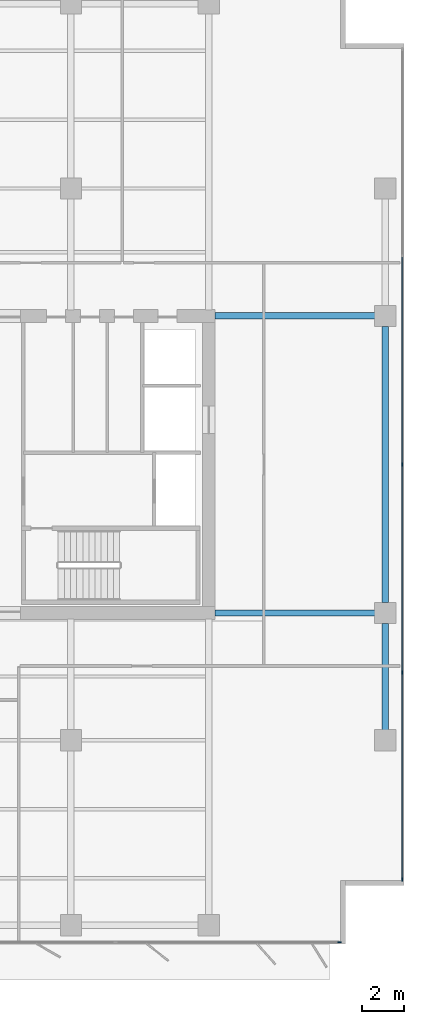
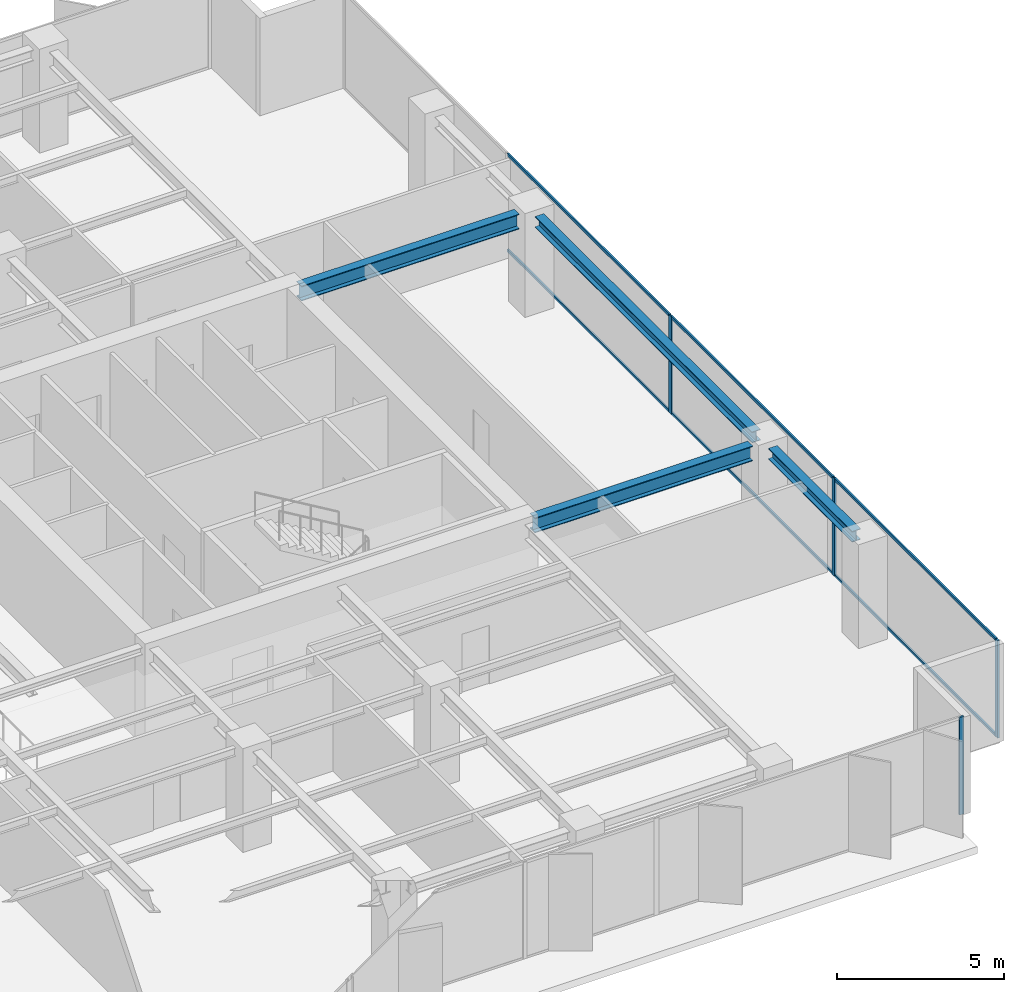
# One storey, part 12 of 22: 10 members, 4 beams, 2 elements without a shape of their own.
"""IFC4 building model written with IfcOpenShell, lengths in metres."""

import ifcopenshell
import ifcopenshell.guid

model = None  # the IFC model being written
_history = None  # IfcOwnerHistory: only IFC2X3 demands one
_inside = {}  # id of a spatial element -> (the spatial element, [elements in it])
_under = {}  # id of a project, library or spatial element -> (it, [spatial elements below it])
_declared = {}  # id of a project -> (the project, [libraries it declares])
_typed = {}  # id of a type object -> (the type object, [elements of that type])
_made_of = {}  # id of a material, layer set ... -> (it, [elements and type objects made of it])


def new_model(schema):
    """Start an empty IFC model of exactly this schema.

    Asked for "IFC4X3", IfcOpenShell would pick the latest addendum, in which some entities
    have other attributes; the version numbers below select the first issue.
    IFC2X3 requires an IfcOwnerHistory on every rooted entity: one is made here for all.
    """
    global model, _history
    if schema == "IFC4X3":
        model = ifcopenshell.file(schema_version=(4, 3, 0, 0))
    else:
        model = ifcopenshell.file(schema=schema)
    _inside.clear()
    _under.clear()
    _declared.clear()
    _typed.clear()
    _made_of.clear()
    _history = None
    if model.schema == "IFC2X3":
        org = make("IfcOrganization", Name="unknown")
        user = make(
            "IfcPersonAndOrganization",
            ThePerson=make("IfcPerson", FamilyName="unknown"),
            TheOrganization=org,
        )
        app = make(
            "IfcApplication",
            ApplicationDeveloper=org,
            Version="unknown",
            ApplicationFullName="unknown",
            ApplicationIdentifier="unknown",
        )
        _history = make(
            "IfcOwnerHistory",
            OwningUser=user,
            OwningApplication=app,
            ChangeAction="ADDED",
            CreationDate=0,
        )
    return model


def make(cls, **values):
    """One entity of the class cls with the attributes given. An attribute that is None is left unset."""
    return model.create_entity(
        cls, **{name: value for name, value in values.items() if value is not None}
    )


def rooted(cls, **values):
    """An entity with a GlobalId (a new one), such as an element, a storey or a relation."""
    return make(cls, GlobalId=ifcopenshell.guid.new(), OwnerHistory=_history, **values)


def si_unit(unit_type, name, prefix=None):
    """IfcSIUnit, for example si_unit("LENGTHUNIT", "METRE", prefix="MILLI")."""
    return make("IfcSIUnit", UnitType=unit_type, Prefix=prefix, Name=name)


def assignment(units):
    """IfcUnitAssignment: the units of a project."""
    return None if units is None else make("IfcUnitAssignment", Units=units)


def point(xyz):
    """IfcCartesianPoint."""
    return None if xyz is None else make("IfcCartesianPoint", Coordinates=xyz)


def direction(xyz):
    """IfcDirection."""
    return None if xyz is None else make("IfcDirection", DirectionRatios=xyz)


def frame(location, z_axis=None, x_axis=None):
    """IfcAxis2Placement3D, a coordinate frame: its origin and axes. An axis left out is left unset."""
    return make(
        "IfcAxis2Placement3D",
        Location=point(location),
        Axis=direction(z_axis),
        RefDirection=direction(x_axis),
    )


def frame_2d(location, x_axis=None):
    """IfcAxis2Placement2D, a coordinate frame in the plane: its origin and x axis."""
    return make(
        "IfcAxis2Placement2D", Location=point(location), RefDirection=direction(x_axis)
    )


def origin():
    """The frame at (0, 0, 0) with its axes left unset."""
    return frame((0.0, 0.0, 0.0))


def origin_2d():
    """The frame at (0, 0) in the plane with its x axis left unset."""
    return frame_2d((0.0, 0.0))


def place(relative_to, where):
    """IfcLocalPlacement: puts the frame where relative to a parent placement (None: the world)."""
    return make(
        "IfcLocalPlacement", PlacementRelTo=relative_to, RelativePlacement=where
    )


def context(
    kind, dimensions, precision=None, world=None, true_north=None, identifier=None
):
    """IfcGeometricRepresentationContext, for example the 3D "Model" context."""
    return make(
        "IfcGeometricRepresentationContext",
        ContextIdentifier=identifier,
        ContextType=kind,
        CoordinateSpaceDimension=dimensions,
        Precision=precision,
        WorldCoordinateSystem=world,
        TrueNorth=true_north,
    )


def subcontext(parent, identifier, kind, view, scale=None):
    """IfcGeometricRepresentationSubContext, for example "Body" below "Model"."""
    return make(
        "IfcGeometricRepresentationSubContext",
        ContextIdentifier=identifier,
        ContextType=kind,
        ParentContext=parent,
        TargetScale=scale,
        TargetView=view,
    )


def project(units=None, contexts=None):
    """IfcProject with its units and contexts."""
    return rooted(
        "IfcProject",
        Name="project",
        RepresentationContexts=contexts,
        UnitsInContext=assignment(units),
    )


def spatial(cls, under=None, at=None, **own):
    """A site, building, storey or space (cls), placed at a placement, below another one or the project."""
    s = rooted(cls, ObjectPlacement=at, **own)
    if under is not None:
        _under.setdefault(under.id(), (under, []))[1].append(s)
    return s


def profile(cls, at=None, kind="AREA", **sizes):
    """A parametric profile (cls). Its sizes go by their IFC names, for example OverallWidth=200.0."""
    return make(cls, ProfileType=kind, Position=at, **sizes)


def rectangle(**sizes):
    """IfcRectangleProfileDef."""
    return profile("IfcRectangleProfileDef", **sizes)


def i_section(**sizes):
    """IfcIShapeProfileDef."""
    return profile("IfcIShapeProfileDef", **sizes)


def extrude(swept, where, along, depth):
    """IfcExtrudedAreaSolid: the profile swept, set in the frame where, extruded along a direction by depth."""
    return make(
        "IfcExtrudedAreaSolid",
        SweptArea=swept,
        Position=where,
        ExtrudedDirection=direction(along),
        Depth=depth,
    )


def shape(context_of_items, identifier, shape_type, items):
    """IfcShapeRepresentation: the items that make up one representation, for example the "Body"."""
    return make(
        "IfcShapeRepresentation",
        ContextOfItems=context_of_items,
        RepresentationIdentifier=identifier,
        RepresentationType=shape_type,
        Items=items,
    )


def material(Name=None, Category=None):
    """IfcMaterial."""
    return make("IfcMaterial", Name=Name, Category=Category)


def layer(
    of_material, thickness, ventilated=None, Name=None, Category=None, Priority=None
):
    """IfcMaterialLayer: one layer of a wall or slab, of a material (None: an air gap)."""
    return make(
        "IfcMaterialLayer",
        Material=of_material,
        LayerThickness=thickness,
        IsVentilated=ventilated,
        Name=Name,
        Category=Category,
        Priority=Priority,
    )


def layer_set(layers, Name=None):
    """IfcMaterialLayerSet."""
    return make("IfcMaterialLayerSet", MaterialLayers=layers, LayerSetName=Name)


def material_profile(
    of_material, cross_section, Name=None, Category=None, Priority=None
):
    """IfcMaterialProfile: a cross section and its material."""
    return make(
        "IfcMaterialProfile",
        Name=Name,
        Material=of_material,
        Profile=cross_section,
        Priority=Priority,
        Category=Category,
    )


def profile_set(profiles, Name=None, composite=None):
    """IfcMaterialProfileSet."""
    return make(
        "IfcMaterialProfileSet",
        Name=Name,
        MaterialProfiles=profiles,
        CompositeProfile=composite,
    )


def made_of(thing, what):
    """Note that an element or type object is made of a material, layer set ...; save() writes the relation."""
    if what is not None:
        _made_of.setdefault(what.id(), (what, []))[1].append(thing)
    return thing


def type_object(cls, material=None, **own):
    """A type object (cls), such as IfcWallType, which elements share."""
    return made_of(rooted(cls, **own), material)


def element(
    cls,
    number,
    at=None,
    inside=None,
    cuts=None,
    type_object=None,
    material=None,
    context=None,
    identifier="Body",
    shape_type=None,
    held_by="IfcProductDefinitionShape",
    body=None,
    shapes=None,
    **own,
):
    """One element of the class cls, such as IfcWall. Its Tag is "e" and its number.

    at: its placement. inside: the storey or other place that contains it. cuts: it is an
    opening in that element (IfcRelVoidsElement). A single representation is given by context,
    identifier, shape_type and body (its items); several are given by shapes. held_by: the class
    of the entity that holds the representations. save() writes the other relations.
    """
    e = rooted(cls, Tag="e%d" % number, ObjectPlacement=at, **own)
    if body is not None:
        shapes = [shape(context, identifier, shape_type, body)]
    if shapes is not None:
        e.Representation = make(held_by, Representations=shapes)
    if inside is not None:
        _inside.setdefault(inside.id(), (inside, []))[1].append(e)
    if cuts is not None:
        rooted(
            "IfcRelVoidsElement", RelatingBuildingElement=cuts, RelatedOpeningElement=e
        )
    if type_object is not None:
        _typed.setdefault(type_object.id(), (type_object, []))[1].append(e)
    return made_of(e, material)


def aggregate(whole, parts):
    """IfcRelAggregates: a whole, such as a stair, and the parts it consists of."""
    return rooted("IfcRelAggregates", RelatingObject=whole, RelatedObjects=parts)


def save(model, path):
    """Write the relations noted so far, then the file.

    IfcRelAggregates (storeys below a building ...), IfcRelContainedInSpatialStructure (elements
    in a storey), IfcRelDefinesByType, IfcRelAssociatesMaterial and IfcRelDeclares: one each for
    every whole, place, type object, material and project.
    """
    for whole, parts in _under.values():
        aggregate(whole, parts)
    for where, things in _inside.values():
        rooted(
            "IfcRelContainedInSpatialStructure",
            RelatedElements=things,
            RelatingStructure=where,
        )
    for kind, things in _typed.values():
        rooted("IfcRelDefinesByType", RelatedObjects=things, RelatingType=kind)
    for what, things in _made_of.values():
        rooted("IfcRelAssociatesMaterial", RelatedObjects=things, RelatingMaterial=what)
    for by, libraries in _declared.values():
        rooted("IfcRelDeclares", RelatingContext=by, RelatedDefinitions=libraries)
    model.write(path)


model = new_model("IFC4")

# Units and contexts
model_context = context("Model", 3, precision=1e-05, world=origin(), true_north=direction((0.0, 1.0)))
body_context = subcontext(model_context, "Body", "Model", "MODEL_VIEW")
ifc_project = project(units=[si_unit("LENGTHUNIT", "METRE"), si_unit("AREAUNIT", "SQUARE_METRE"), si_unit("VOLUMEUNIT", "CUBIC_METRE"), si_unit("PLANEANGLEUNIT", "RADIAN"), si_unit("MASSUNIT", "GRAM", prefix="KILO")], contexts=[model_context])

# Site, building, storey
site_placement = place(None, origin())
site = spatial("IfcSite", under=ifc_project, at=site_placement, CompositionType="ELEMENT")
building_placement = place(site_placement, origin())
building = spatial("IfcBuilding", under=site, at=building_placement, Name="Putna Gate Headquarters", CompositionType="ELEMENT")
storey_placement = place(building_placement, frame((0.0, 0.0, 144.199951171875)))
storey = spatial("IfcBuildingStorey", under=building, at=storey_placement, Name="L35", CompositionType="ELEMENT", Elevation=144.199951171875)

# Beams
ifc_material_1 = material(Name="Steel S355J2", Category="steel")
ifc_material_profile_1 = material_profile(ifc_material_1, i_section(OverallWidth=0.300048828125, OverallDepth=0.550048828125, WebThickness=0.014892578125, FlangeThickness=0.029052734375, at=origin_2d()), Name="Steel S355J2")
ifc_profile_set_1 = profile_set([ifc_material_profile_1], Name="Steel S355J2")
beam_type_1 = type_object("IfcBeamType", Name="BM-GIRD-Z3-HEB550", PredefinedType="USERDEFINED", material=ifc_profile_set_1)
for number, where, z_axis, x_axis, name in (
    (1, (65.284912109375, 19.0, 3.297119140625), (1.0, 0.0, 0.0), (0.0, 1.0, 0.0), "L35 East Wing Girder Y19"),
    (2, (65.284912109375, 33.0, 3.297119140625), (1.0, 0.0, 0.0), (0.0, 1.0, 0.0), "L35 East Wing Girder Y33"),
):
    element("IfcBeam", number, at=place(storey_placement, frame(where, z_axis=z_axis, x_axis=x_axis)), inside=storey, type_object=beam_type_1, Name=name, ObjectType="GIRDER", PredefinedType="USERDEFINED", context=body_context, shape_type="SweptSolid", body=[
        extrude(i_section(OverallWidth=0.300048828125, OverallDepth=0.550048828125, WebThickness=0.014892578125, FlangeThickness=0.029052734375, at=origin_2d()), origin(), (0.0, 0.0, 1.0), 7.547119140625),
    ])
ifc_material_profile_2 = material_profile(ifc_material_1, i_section(OverallWidth=0.300048828125, OverallDepth=0.39990234375, WebThickness=0.013427734375, FlangeThickness=0.02392578125, at=origin_2d()), Name="Steel S355J2")
ifc_profile_set_2 = profile_set([ifc_material_profile_2], Name="Steel S355J2")
beam_type_2 = type_object("IfcBeamType", Name="BM-SPAN-Z3-HEB400", PredefinedType="SPANDREL", material=ifc_profile_set_2)
beam_1_placement = place(storey_placement, frame((73.320068359375, 13.488037109375, 3.3720703125), z_axis=(0.0, 1.0, 0.0), x_axis=(-1.0, 0.0, 0.0)))
element("IfcBeam", 3, at=beam_1_placement, inside=storey, type_object=beam_type_2, Name="L35 E End Spandrel 1", PredefinedType="SPANDREL", context=body_context, shape_type="SweptSolid", body=[
    extrude(i_section(OverallWidth=0.300048828125, OverallDepth=0.39990234375, WebThickness=0.013427734375, FlangeThickness=0.02392578125, at=origin_2d()), origin(), (0.0, 0.0, 1.0), 5.02392578125),
])
beam_2_placement = place(storey_placement, frame((73.320068359375, 19.488037109375, 3.3720703125), z_axis=(0.0, 1.0, 0.0), x_axis=(-1.0, 0.0, 0.0)))
element("IfcBeam", 4, at=beam_2_placement, inside=storey, type_object=beam_type_2, Name="L35 E End Spandrel 2", PredefinedType="SPANDREL", context=body_context, shape_type="SweptSolid", body=[
    extrude(i_section(OverallWidth=0.300048828125, OverallDepth=0.39990234375, WebThickness=0.013427734375, FlangeThickness=0.02392578125, at=origin_2d()), origin(), (0.0, 0.0, 1.0), 13.02392578125),
])

# Curtain wall, member
ifc_material_2 = material(Name="Anodised bronze aluminium curtain wall", Category="aluminium")
ifc_layer = layer(ifc_material_2, 0.159912109375)
ifc_layer_set = layer_set([ifc_layer], Name="Anodised bronze aluminium curtain wall")
curtain_wall_type = type_object("IfcCurtainWallType", Name="CW-SYS-Z3", PredefinedType="USERDEFINED", material=ifc_layer_set)
curtain_wall_1_placement = place(storey_placement, origin())
curtain_wall_1 = element("IfcCurtainWall", 5, at=curtain_wall_1_placement, inside=storey, type_object=curtain_wall_type, Name="L35 South East Curtain Wall", ObjectType="STICK CURTAIN WALL", PredefinedType="USERDEFINED")
ifc_material_3 = material(Name="Anodised bronze aluminium EN AW-6060", Category="aluminium")
ifc_material_profile_3 = material_profile(ifc_material_3, rectangle(XDim=0.06494140625, YDim=0.159912109375, at=origin_2d()), Name="Anodised bronze aluminium EN AW-6060")
ifc_profile_set_3 = profile_set([ifc_material_profile_3], Name="Anodised bronze aluminium EN AW-6060")
member_type_1 = type_object("IfcMemberType", Name="MULL-CWM-3", PredefinedType="MULLION", material=ifc_profile_set_3)
member_1_placement = place(storey_placement, frame((71.16748046875, 3.47998046875, 0.0), z_axis=(0.0, 0.0, 1.0), x_axis=(0.0, 1.0, 0.0)))
member_1 = element("IfcMember", 6, at=member_1_placement, type_object=member_type_1, Name="CWS-3 mullion 3", PredefinedType="MULLION", context=body_context, shape_type="SweptSolid", body=[
    extrude(rectangle(XDim=0.06494140625, YDim=0.159912109375, at=origin_2d()), origin(), (0.0, 0.0, 1.0), 3.572021484375),
])
aggregate(curtain_wall_1, [member_1])

# Curtain wall, members
curtain_wall_2_placement = place(storey_placement, origin())
curtain_wall_2 = element("IfcCurtainWall", 7, at=curtain_wall_2_placement, inside=storey, type_object=curtain_wall_type, Name="L35 East Curtain Wall", ObjectType="STICK CURTAIN WALL", PredefinedType="USERDEFINED")
member_2_placement = place(storey_placement, frame((74.1201171875, 6.4326171875, 0.0), z_axis=(0.0, 0.0, 1.0), x_axis=(-1.0, 0.0, 0.0)))
member_2 = element("IfcMember", 8, at=member_2_placement, type_object=member_type_1, Name="CWS-3 mullion 1", PredefinedType="MULLION", context=body_context, shape_type="SweptSolid", body=[
    extrude(rectangle(XDim=0.06494140625, YDim=0.159912109375, at=origin_2d()), origin(), (0.0, 0.0, 1.0), 3.572021484375),
])
member_3_placement = place(storey_placement, frame((74.1201171875, 16.199951171875, 0.0), z_axis=(0.0, 0.0, 1.0), x_axis=(-1.0, 0.0, 0.0)))
member_3 = element("IfcMember", 9, at=member_3_placement, type_object=member_type_1, Name="CWS-3 mullion 2", PredefinedType="MULLION", context=body_context, shape_type="SweptSolid", body=[
    extrude(rectangle(XDim=0.06494140625, YDim=0.159912109375, at=origin_2d()), origin(), (0.0, 0.0, 1.0), 3.572021484375),
])
member_4_placement = place(storey_placement, frame((74.1201171875, 26.0, 0.0), z_axis=(0.0, 0.0, 1.0), x_axis=(-1.0, 0.0, 0.0)))
member_4 = element("IfcMember", 10, at=member_4_placement, type_object=member_type_1, Name="CWS-3 mullion 3", PredefinedType="MULLION", context=body_context, shape_type="SweptSolid", body=[
    extrude(rectangle(XDim=0.06494140625, YDim=0.159912109375, at=origin_2d()), origin(), (0.0, 0.0, 1.0), 3.572021484375),
])
ifc_material_profile_4 = material_profile(ifc_material_3, rectangle(XDim=0.06005859375, YDim=0.10009765625, at=origin_2d()), Name="Anodised bronze aluminium EN AW-6060")
ifc_profile_set_4 = profile_set([ifc_material_profile_4], Name="Anodised bronze aluminium EN AW-6060")
member_type_2 = type_object("IfcMemberType", Name="TRAN-CWT-3", PredefinedType="USERDEFINED", material=ifc_profile_set_4)
member_5_placement = place(storey_placement, frame((74.1201171875, 6.465087890625, 0.030029296875), z_axis=(0.0, 1.0, 0.0), x_axis=(-1.0, 0.0, 0.0)))
member_5 = element("IfcMember", 11, at=member_5_placement, type_object=member_type_2, Name="CWS-3 transom 1.1", ObjectType="TRANSOM", PredefinedType="USERDEFINED", context=body_context, shape_type="SweptSolid", body=[
    extrude(rectangle(XDim=0.06005859375, YDim=0.10009765625, at=origin_2d()), origin(), (0.0, 0.0, 1.0), 9.702392578125),
])
member_6_placement = place(storey_placement, frame((74.1201171875, 6.465087890625, 3.5419921875), z_axis=(0.0, 1.0, 0.0), x_axis=(-1.0, 0.0, 0.0)))
member_6 = element("IfcMember", 12, at=member_6_placement, type_object=member_type_2, Name="CWS-3 transom 1.2", ObjectType="TRANSOM", PredefinedType="USERDEFINED", context=body_context, shape_type="SweptSolid", body=[
    extrude(rectangle(XDim=0.06005859375, YDim=0.10009765625, at=origin_2d()), origin(), (0.0, 0.0, 1.0), 9.702392578125),
])
member_7_placement = place(storey_placement, frame((74.1201171875, 16.232421875, 0.030029296875), z_axis=(0.0, 1.0, 0.0), x_axis=(-1.0, 0.0, 0.0)))
member_7 = element("IfcMember", 13, at=member_7_placement, type_object=member_type_2, Name="CWS-3 transom 2.1", ObjectType="TRANSOM", PredefinedType="USERDEFINED", context=body_context, shape_type="SweptSolid", body=[
    extrude(rectangle(XDim=0.06005859375, YDim=0.10009765625, at=origin_2d()), origin(), (0.0, 0.0, 1.0), 9.735107421875),
])
member_8_placement = place(storey_placement, frame((74.1201171875, 16.232421875, 3.5419921875), z_axis=(0.0, 1.0, 0.0), x_axis=(-1.0, 0.0, 0.0)))
member_8 = element("IfcMember", 14, at=member_8_placement, type_object=member_type_2, Name="CWS-3 transom 2.2", ObjectType="TRANSOM", PredefinedType="USERDEFINED", context=body_context, shape_type="SweptSolid", body=[
    extrude(rectangle(XDim=0.06005859375, YDim=0.10009765625, at=origin_2d()), origin(), (0.0, 0.0, 1.0), 9.735107421875),
])
member_9_placement = place(storey_placement, frame((74.1201171875, 26.032470703125, 0.030029296875), z_axis=(0.0, 1.0, 0.0), x_axis=(-1.0, 0.0, 0.0)))
member_9 = element("IfcMember", 15, at=member_9_placement, type_object=member_type_2, Name="CWS-3 transom 3.1", ObjectType="TRANSOM", PredefinedType="USERDEFINED", context=body_context, shape_type="SweptSolid", body=[
    extrude(rectangle(XDim=0.06005859375, YDim=0.10009765625, at=origin_2d()), origin(), (0.0, 0.0, 1.0), 9.735107421875),
])
member_10_placement = place(storey_placement, frame((74.1201171875, 26.032470703125, 3.5419921875), z_axis=(0.0, 1.0, 0.0), x_axis=(-1.0, 0.0, 0.0)))
member_10 = element("IfcMember", 16, at=member_10_placement, type_object=member_type_2, Name="CWS-3 transom 3.2", ObjectType="TRANSOM", PredefinedType="USERDEFINED", context=body_context, shape_type="SweptSolid", body=[
    extrude(rectangle(XDim=0.06005859375, YDim=0.10009765625, at=origin_2d()), origin(), (0.0, 0.0, 1.0), 9.735107421875),
])
aggregate(curtain_wall_2, [member_2, member_3, member_4, member_5, member_6, member_7, member_8, member_9, member_10])

save(model, "model.ifc")
